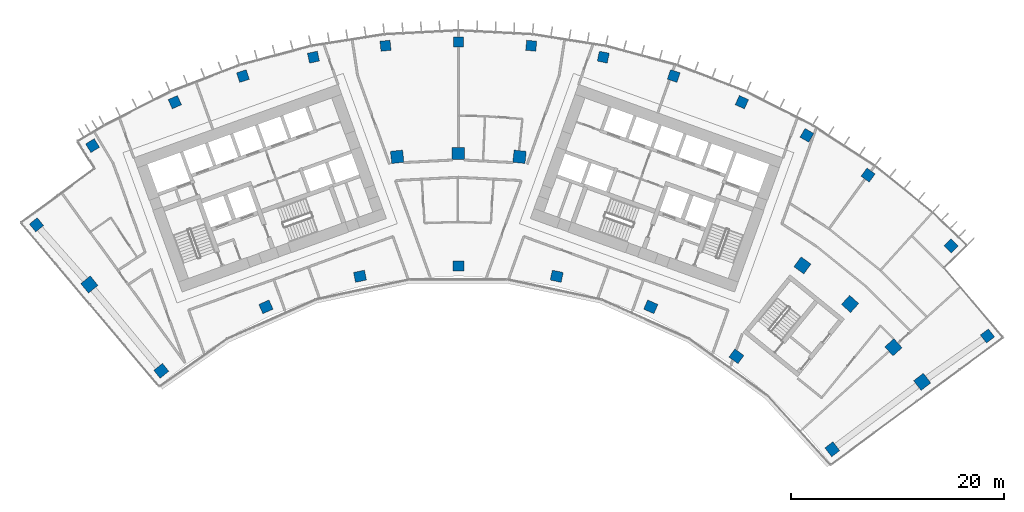
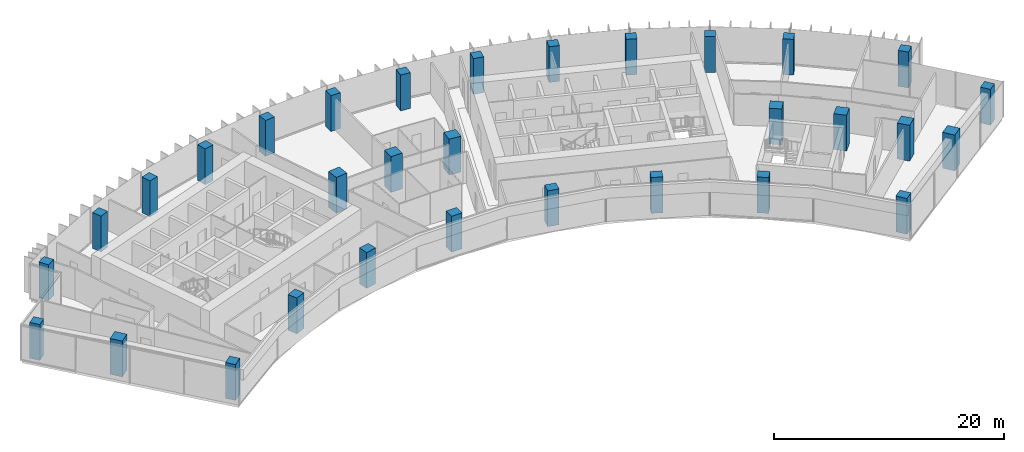
# One storey, part 1 of 19: 31 columns.
"""IFC4 building model written with IfcOpenShell, lengths in metres."""

from ifc_helpers import new_model, si_unit, direction, frame, origin, origin_2d, place, context, subcontext, project, spatial, rectangle, extrude, material, material_profile, profile_set, type_object, element, save


model = new_model("IFC4")

# Units and contexts
model_context = context("Model", 3, precision=1e-05, world=origin(), true_north=direction((0.0, 1.0)))
body_context = subcontext(model_context, "Body", "Model", "MODEL_VIEW")
ifc_project = project(units=[si_unit("LENGTHUNIT", "METRE"), si_unit("AREAUNIT", "SQUARE_METRE"), si_unit("VOLUMEUNIT", "CUBIC_METRE"), si_unit("PLANEANGLEUNIT", "RADIAN"), si_unit("MASSUNIT", "GRAM", prefix="KILO")], contexts=[model_context])

# Site, building, storey
site_placement = place(None, origin())
site = spatial("IfcSite", under=ifc_project, at=site_placement, CompositionType="ELEMENT")
building_placement = place(site_placement, origin())
building = spatial("IfcBuilding", under=site, at=building_placement, Name="Stone Belt Terrace Tower", CompositionType="ELEMENT")
storey_placement = place(building_placement, frame((0.0, 0.0, 246.60009765625)))
storey = spatial("IfcBuildingStorey", under=building, at=storey_placement, Name="L60", CompositionType="ELEMENT", Elevation=246.60009765625)

# Columns
ifc_material = material(Name="Concrete B60", Category="concrete")
ifc_material_profile_1 = material_profile(ifc_material, rectangle(XDim=1.050048828125, YDim=0.949951171875, at=origin_2d()), Name="RC 1050x950")
ifc_profile_set_1 = profile_set([ifc_material_profile_1], Name="Concrete B60")
column_type_1 = type_object("IfcColumnType", Name="Column RC 1050x950 B60", PredefinedType="COLUMN", material=ifc_profile_set_1)
for number, where, z_axis, x_axis, name in (
    (1, (-27.90771484375, 34.5908203125, 0.0), (0.0, 0.0, 1.0), (0.778283698988, 0.62791279959, 0.0), "Column L60 PA"),
    (2, (-18.077392578125, 40.6025390625, 0.0), (0.0, 0.0, 1.0), (0.913545457643, 0.406736643076, 0.0), "Column L60 P18"),
    (3, (-9.240478515625, 43.473876953125, 0.0), (0.0, 0.0, 1.0), (0.978147600734, 0.207911690818, 0.0), "Column L60 P20"),
    (4, (0.0, 44.445068359375, 0.0), (0.0, 0.0, 1.0), (1.0, 0.0, 0.0), "Column L60 P22"),
    (5, (9.240478515625, 43.473876953125, 0.0), (0.0, 0.0, 1.0), (0.978147600734, -0.207911690818, 0.0), "Column L60 P24"),
    (6, (18.077392578125, 40.6025390625, 0.0), (0.0, 0.0, 1.0), (0.913545457643, -0.406736643076, 0.0), "Column L60 P26"),
    (7, (26.1240234375, 35.956787109375, 0.0), (0.0, 0.0, 1.0), (0.809016994375, -0.587785252292, 0.0), "Column L60 P28"),
    (8, (35.133056640625, 27.221923828125, 0.0), (0.0, 0.0, 1.0), (0.612484967582, -0.790482235402, 0.0), "Column L60 PB"),
):
    element("IfcColumn", number, at=place(storey_placement, frame(where, z_axis=z_axis, x_axis=x_axis)), inside=storey, type_object=column_type_1, Name=name, PredefinedType="COLUMN", context=body_context, shape_type="SweptSolid", body=[
        extrude(rectangle(XDim=1.050048828125, YDim=0.949951171875, at=origin_2d()), origin(), (0.0, 0.0, 1.0), 3.7998046875),
    ])
ifc_material_profile_2 = material_profile(ifc_material, rectangle(XDim=1.14990234375, YDim=1.14990234375, at=origin_2d()), Name="RC 1150x1150")
ifc_profile_set_2 = profile_set([ifc_material_profile_2], Name="Concrete B60")
column_type_2 = type_object("IfcColumnType", Name="Column RC 1150x1150 B60", PredefinedType="COLUMN", material=ifc_profile_set_2)
for number, where, z_axis, x_axis, name in (
    (9, (-34.665283203125, 42.700439453125, 0.0), (0.0, 0.0, 1.0), (0.776371021586, 0.630276159189, 0.0), "Column L60 QA"),
    (10, (-5.7490234375, 54.69873046875, 0.0), (0.0, 0.0, 1.0), (0.994521895368, 0.104528463268, 0.0), "Column L60 Q21"),
    (11, (0.0, 55.0, 0.0), (0.0, 0.0, 1.0), (1.0, 0.0, 0.0), "Column L60 Q22"),
    (12, (5.7490234375, 54.69873046875, 0.0), (0.0, 0.0, 1.0), (0.994521895368, -0.104528463268, 0.0), "Column L60 Q23"),
    (13, (32.328125, 44.495849609375, 0.0), (0.0, 0.0, 1.0), (0.809016994375, -0.587785252292, 0.0), "Column L60 Q28"),
    (14, (36.80224609375, 40.873046875, 0.0), (0.0, 0.0, 1.0), (0.743144825477, -0.669130606359, 0.0), "Column L60 Q29"),
    (15, (40.873046875, 36.80224609375, 0.0), (0.0, 0.0, 1.0), (0.669130606359, -0.743144825477, 0.0), "Column L60 Q30"),
    (16, (43.57861328125, 33.55419921875, 0.0), (0.0, 0.0, 1.0), (0.610078787058, -0.792340755977, 0.0), "Column L60 QB"),
):
    element("IfcColumn", number, at=place(storey_placement, frame(where, z_axis=z_axis, x_axis=x_axis)), inside=storey, type_object=column_type_2, Name=name, PredefinedType="COLUMN", context=body_context, shape_type="SweptSolid", body=[
        extrude(rectangle(XDim=1.14990234375, YDim=1.14990234375, at=origin_2d()), origin(), (0.0, 0.0, 1.0), 3.7998046875),
    ])
ifc_material_profile_3 = material_profile(ifc_material, rectangle(XDim=0.949951171875, YDim=0.949951171875, at=origin_2d()), Name="RC 950x950")
ifc_profile_set_3 = profile_set([ifc_material_profile_3], Name="Concrete B60")
column_type_3 = type_object("IfcColumnType", Name="Column RC 950x950 B60", PredefinedType="COLUMN", material=ifc_profile_set_3)
for number, where, z_axis, x_axis, name in (
    (17, (-39.63623046875, 48.3095703125, 0.0), (0.0, 0.0, 1.0), (0.773091274525, 0.634294790499, 0.0), "Column L60 RA"),
    (18, (49.70947265625, 37.86572265625, 0.0), (0.0, 0.0, 1.0), (0.605960632634, -0.795494633356, 0.0), "Column L60 RB"),
    (19, (-34.365966796875, 55.74755859375, 0.0), (0.0, 0.0, 1.0), (0.851251028908, 0.524758692909, 0.0), "Column L60 RNA"),
    (20, (-26.63671875, 59.8271484375, 0.0), (0.0, 0.0, 1.0), (0.913545457643, 0.406736643076, 0.0), "Column L60 R18"),
    (21, (-20.2373046875, 62.28369140625, 0.0), (0.0, 0.0, 1.0), (0.951056516295, 0.309016994375, 0.0), "Column L60 R19"),
    (22, (-13.615966796875, 64.057861328125, 0.0), (0.0, 0.0, 1.0), (0.978147600734, 0.207911690818, 0.0), "Column L60 R20"),
    (23, (-6.845458984375, 65.130126953125, 0.0), (0.0, 0.0, 1.0), (0.994521895368, 0.104528463268, 0.0), "Column L60 R21"),
    (24, (0.0, 65.489013671875, 0.0), (0.0, 0.0, 1.0), (1.0, 0.0, 0.0), "Column L60 R22"),
    (25, (6.845458984375, 65.130126953125, 0.0), (0.0, 0.0, 1.0), (0.994521895368, -0.104528463268, 0.0), "Column L60 R23"),
    (26, (13.615966796875, 64.057861328125, 0.0), (0.0, 0.0, 1.0), (0.978147600734, -0.207911690818, 0.0), "Column L60 R24"),
    (27, (20.2373046875, 62.28369140625, 0.0), (0.0, 0.0, 1.0), (0.951056516295, -0.309016994375, 0.0), "Column L60 R25"),
    (28, (26.63671875, 59.8271484375, 0.0), (0.0, 0.0, 1.0), (0.913545457643, -0.406736643076, 0.0), "Column L60 R26"),
    (29, (32.744384765625, 56.715087890625, 0.0), (0.0, 0.0, 1.0), (0.866025403784, -0.5, 0.0), "Column L60 R27"),
    (30, (38.493408203125, 52.981689453125, 0.0), (0.0, 0.0, 1.0), (0.809016994375, -0.587785252292, 0.0), "Column L60 R28"),
    (31, (46.29638671875, 46.318603515625, 0.0), (0.0, 0.0, 1.0), (0.707275837349, -0.706937684596, 0.0), "Column L60 RNB"),
):
    element("IfcColumn", number, at=place(storey_placement, frame(where, z_axis=z_axis, x_axis=x_axis)), inside=storey, type_object=column_type_3, Name=name, PredefinedType="COLUMN", context=body_context, shape_type="SweptSolid", body=[
        extrude(rectangle(XDim=0.949951171875, YDim=0.949951171875, at=origin_2d()), origin(), (0.0, 0.0, 1.0), 3.7998046875),
    ])

save(model, "model.ifc")
